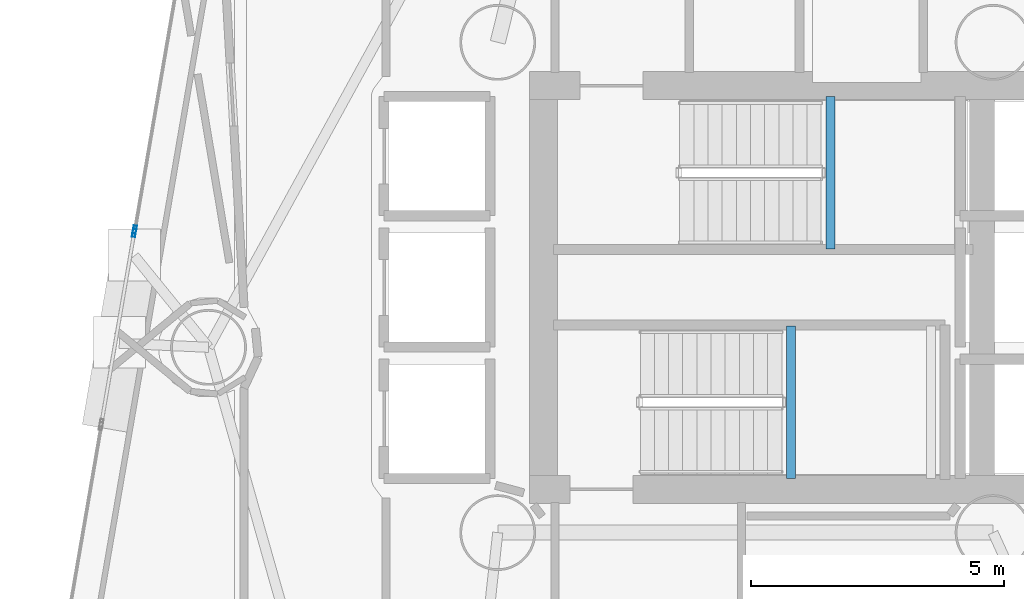
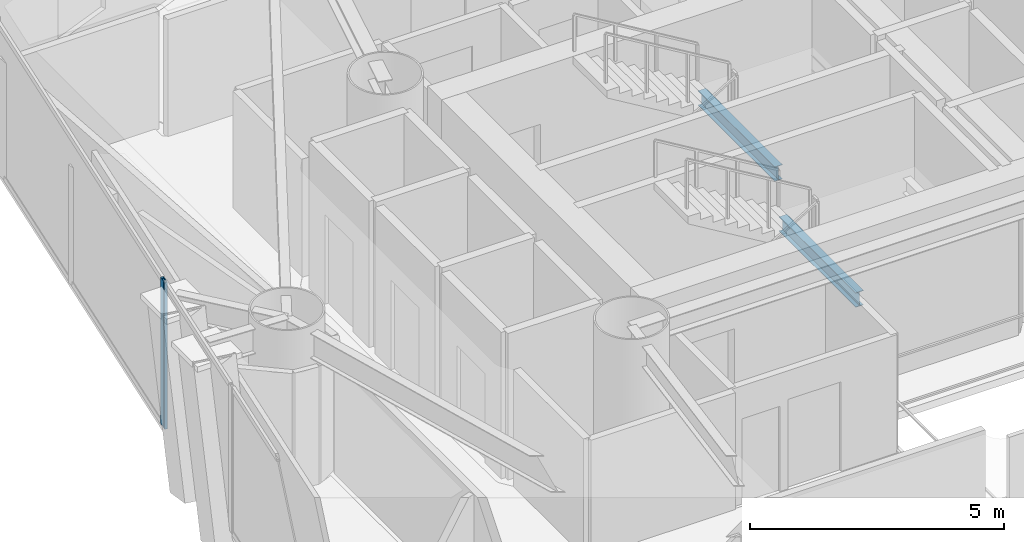
# One storey, part 8 of 21: 2 beams, 2 members, 2 elements without a shape of their own.
"""IFC4 building model written with IfcOpenShell, lengths in metres."""

from ifc_helpers import new_model, si_unit, direction, frame, origin, origin_2d, place, context, subcontext, project, spatial, hollow_rectangle, i_section, extrude, material, layer, layer_set, material_profile, profile_set, type_object, element, aggregate, save


model = new_model("IFC4")

# Units and contexts
model_context = context("Model", 3, precision=1e-05, world=origin(), true_north=direction((0.0, 1.0)))
body_context = subcontext(model_context, "Body", "Model", "MODEL_VIEW")
ifc_project = project(units=[si_unit("LENGTHUNIT", "METRE"), si_unit("AREAUNIT", "SQUARE_METRE"), si_unit("VOLUMEUNIT", "CUBIC_METRE"), si_unit("PLANEANGLEUNIT", "RADIAN"), si_unit("MASSUNIT", "GRAM", prefix="KILO")], contexts=[model_context])

# Site, building, storey
site_placement = place(None, origin())
site = spatial("IfcSite", under=ifc_project, at=site_placement, CompositionType="ELEMENT")
building_placement = place(site_placement, origin())
building = spatial("IfcBuilding", under=site, at=building_placement, Name="Qianvela Tower", CompositionType="ELEMENT")
storey_placement = place(building_placement, frame((0.0, 0.0, 105.199951171875)))
storey = spatial("IfcBuildingStorey", under=building, at=storey_placement, Name="L26", CompositionType="ELEMENT", Elevation=105.199951171875)

# Beams
ifc_material_1 = material(Name="Steel Q355B", Category="steel")
ifc_material_profile_1 = material_profile(ifc_material_1, i_section(OverallWidth=0.175048828125, OverallDepth=0.35009765625, WebThickness=0.007080078125, FlangeThickness=0.010986328125, at=origin_2d()), Name="HN350x175x7x11")
ifc_profile_set_1 = profile_set([ifc_material_profile_1], Name="Steel Q355B")
beam_type = type_object("IfcBeamType", Name="BM-HN350-JOIST", PredefinedType="JOIST", material=ifc_profile_set_1)
for number, where, z_axis, x_axis, name in (
    (1, (35.179931640625, 29.4599609375, 1.47509765625), (0.0, 1.0, 0.0), (-1.0, 0.0, 0.0), "L26 Stair ST-1 Landing Support Beam 1.1"),
    (2, (34.39990234375, 24.919921875, 1.47509765625), (0.0, 1.0, 0.0), (-1.0, 0.0, 0.0), "L26 Stair ST-2 Landing Support Beam 1.1"),
):
    element("IfcBeam", number, at=place(storey_placement, frame(where, z_axis=z_axis, x_axis=x_axis)), inside=storey, type_object=beam_type, Name=name, PredefinedType="JOIST", context=body_context, shape_type="SweptSolid", body=[
        extrude(i_section(OverallWidth=0.175048828125, OverallDepth=0.35009765625, WebThickness=0.007080078125, FlangeThickness=0.010986328125, at=origin_2d()), origin(), (0.0, 0.0, 1.0), 3.02001953125),
    ])

# Curtain wall, member
ifc_material_2 = material(Name="Anodised Architectural Aluminium and Insulated Spandrel Panel", Category="aluminium")
ifc_layer_1 = layer(ifc_material_2, 0.179931640625)
ifc_layer_set_1 = layer_set([ifc_layer_1], Name="Anodised Architectural Aluminium and Insulated Spandrel Panel")
curtain_wall_type_1 = type_object("IfcCurtainWallType", Name="CW-BRACEBAY", PredefinedType="USERDEFINED", material=ifc_layer_set_1)
curtain_wall_1_placement = place(storey_placement, origin())
curtain_wall_1 = element("IfcCurtainWall", 3, at=curtain_wall_1_placement, inside=storey, type_object=curtain_wall_type_1, Name="L26 CW-BRACEBAY Curtain Wall 04B", ObjectType="CURTAIN_WALL_SYSTEM", PredefinedType="USERDEFINED")
ifc_material_3 = material(Name="Anodised Architectural Aluminium 6063-T6", Category="aluminium")
ifc_material_profile_2 = material_profile(ifc_material_3, hollow_rectangle(XDim=0.06494140625, YDim=0.159912109375, WallThickness=0.0048828125, at=origin_2d()), Name="ALU-MULL-65x160")
ifc_profile_set_2 = profile_set([ifc_material_profile_2], Name="Anodised Architectural Aluminium 6063-T6")
member_type_1 = type_object("IfcMemberType", Name="CW-BRACEBAY-MULL", PredefinedType="MULLION", material=ifc_profile_set_2)
member_1_placement = place(storey_placement, frame((21.4072265625, 29.779296875, 0.0), z_axis=(0.0, 0.0, 1.0), x_axis=(0.985528042009, -0.169512472737, 0.0)))
member_1 = element("IfcMember", 4, at=member_1_placement, type_object=member_type_1, Name="CW-9 mullion 1", PredefinedType="MULLION", context=body_context, shape_type="SweptSolid", body=[
    extrude(hollow_rectangle(XDim=0.06494140625, YDim=0.159912109375, WallThickness=0.0048828125, at=origin_2d()), origin(), (0.0, 0.0, 1.0), 3.52001953125),
])
aggregate(curtain_wall_1, [member_1])

ifc_material_4 = material(Name="Anodised Architectural Aluminium and Low-E Glass", Category="aluminium")
ifc_layer_2 = layer(ifc_material_4, 0.169921875)
ifc_layer_set_2 = layer_set([ifc_layer_2], Name="Anodised Architectural Aluminium and Low-E Glass")
curtain_wall_type_2 = type_object("IfcCurtainWallType", Name="CW-COLIV-Z34", PredefinedType="USERDEFINED", material=ifc_layer_set_2)
curtain_wall_2_placement = place(storey_placement, origin())
curtain_wall_2 = element("IfcCurtainWall", 5, at=curtain_wall_2_placement, inside=storey, type_object=curtain_wall_type_2, Name="L26 CW-COLIV-Z34 Curtain Wall 04A", ObjectType="CURTAIN_WALL_SYSTEM", PredefinedType="USERDEFINED")
ifc_material_5 = material(Name="Anodised Architectural Aluminium 6063-T6", Category="aluminium")
ifc_material_profile_3 = material_profile(ifc_material_5, hollow_rectangle(XDim=0.06494140625, YDim=0.159912109375, WallThickness=0.0048828125, at=origin_2d()), Name="ALU-MULL-65x160")
ifc_profile_set_3 = profile_set([ifc_material_profile_3], Name="Anodised Architectural Aluminium 6063-T6")
member_type_2 = type_object("IfcMemberType", Name="CW-COLIV-Z34-MULL", PredefinedType="MULLION", material=ifc_profile_set_3)
member_2_placement = place(storey_placement, frame((21.418212890625, 29.84326171875, 0.0), z_axis=(0.0, 0.0, 1.0), x_axis=(0.985526133735, -0.169523566874, 0.0)))
member_2 = element("IfcMember", 6, at=member_2_placement, type_object=member_type_2, Name="CW-4 mullion 2", PredefinedType="MULLION", context=body_context, shape_type="SweptSolid", body=[
    extrude(hollow_rectangle(XDim=0.06494140625, YDim=0.159912109375, WallThickness=0.0048828125, at=origin_2d()), origin(), (0.0, 0.0, 1.0), 3.52001953125),
])
aggregate(curtain_wall_2, [member_2])

save(model, "model.ifc")
